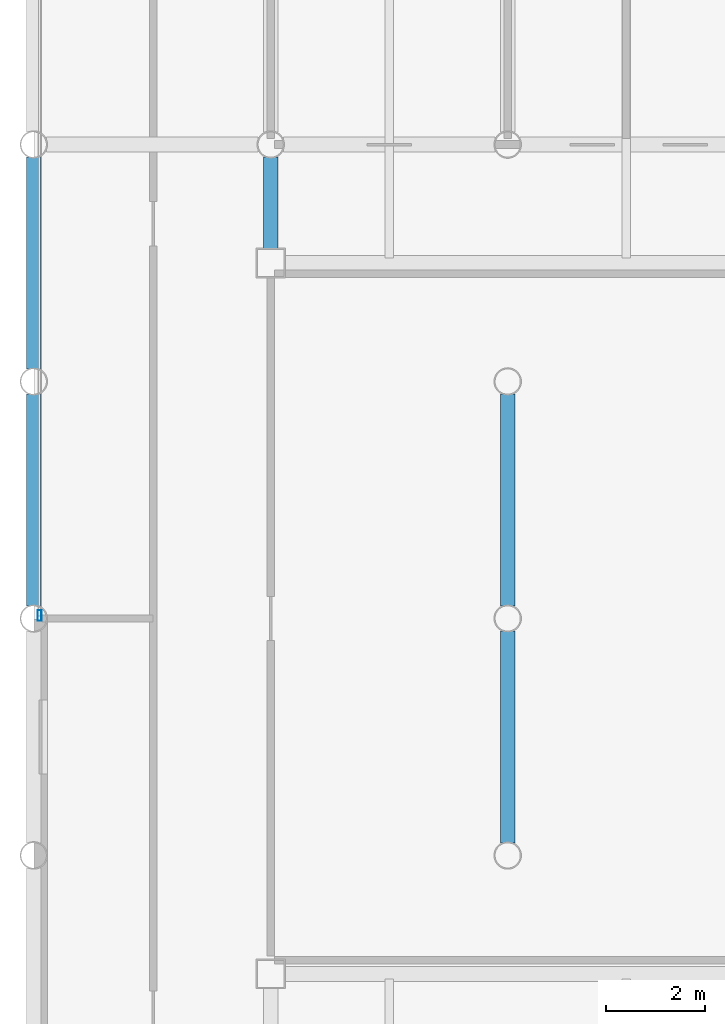
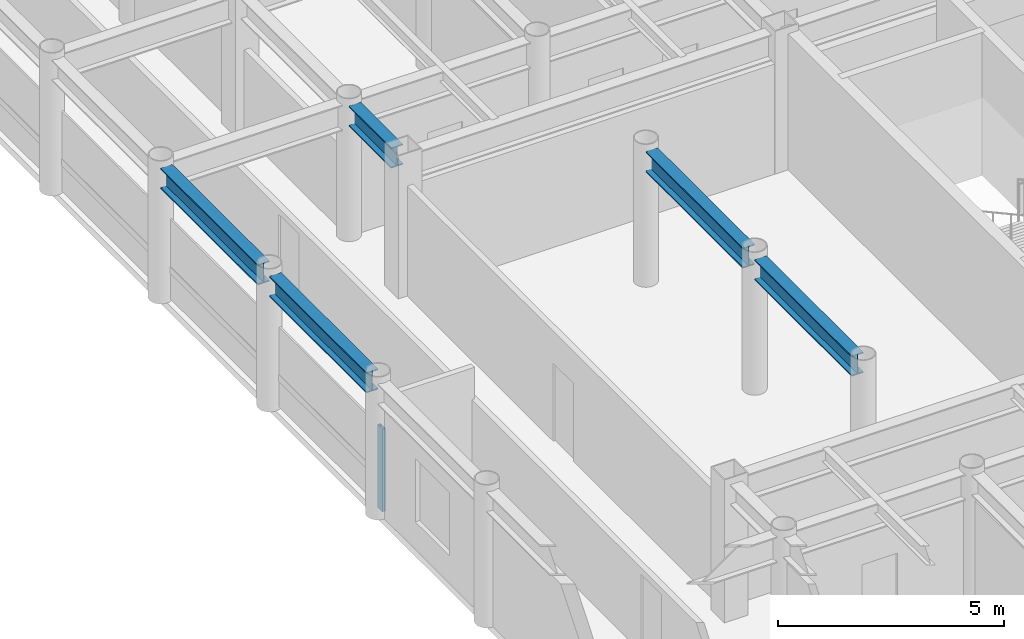
# One storey, part 6 of 22: 5 beams, 1 member, 1 element without a shape of its own.
"""IFC4 building model written with IfcOpenShell, lengths in metres."""

from ifc_helpers import new_model, si_unit, direction, frame, origin, origin_2d, place, context, subcontext, project, spatial, hollow_rectangle, i_section, extrude, material, layer, layer_set, material_profile, profile_set, type_object, element, aggregate, save


model = new_model("IFC4")

# Units and contexts
model_context = context("Model", 3, precision=1e-05, world=origin(), true_north=direction((0.0, 1.0)))
body_context = subcontext(model_context, "Body", "Model", "MODEL_VIEW")
ifc_project = project(units=[si_unit("LENGTHUNIT", "METRE"), si_unit("AREAUNIT", "SQUARE_METRE"), si_unit("VOLUMEUNIT", "CUBIC_METRE"), si_unit("PLANEANGLEUNIT", "RADIAN"), si_unit("MASSUNIT", "GRAM", prefix="KILO")], contexts=[model_context])

# Site, building, storey
site_placement = place(None, origin())
site = spatial("IfcSite", under=ifc_project, at=site_placement, CompositionType="ELEMENT")
building_placement = place(site_placement, origin())
building = spatial("IfcBuilding", under=site, at=building_placement, Name="Kallvorn Hotel Tower", CompositionType="ELEMENT")
storey_placement = place(building_placement, frame((0.0, 0.0, 230.0)))
storey = spatial("IfcBuildingStorey", under=building, at=storey_placement, Name="L57", CompositionType="ELEMENT", Elevation=230.0)

# Beams
ifc_material_1 = material(Name="Structural steel S355JR", Category="steel")
ifc_material_profile_1 = material_profile(ifc_material_1, i_section(OverallWidth=0.300048828125, OverallDepth=0.550048828125, WebThickness=0.014892578125, FlangeThickness=0.029052734375, at=origin_2d()), Name="HE 550 B")
ifc_profile_set_1 = profile_set([ifc_material_profile_1], Name="Structural steel S355JR")
beam_type = type_object("IfcBeamType", Name="BM_HE550B", PredefinedType="SPANDREL", material=ifc_profile_set_1)
for number, where, z_axis, x_axis, name in (
    (1, (-28.800048828125, 0.25439453125, 3.39501953125), (0.0, 1.0, 0.0), (-1.0, 0.0, 0.0), "L58 Primary Y-Girder 77"),
    (2, (-28.800048828125, 5.054443359375, 3.39501953125), (0.0, 1.0, 0.0), (-1.0, 0.0, 0.0), "L58 Primary Y-Girder 78"),
):
    element("IfcBeam", number, at=place(storey_placement, frame(where, z_axis=z_axis, x_axis=x_axis)), inside=storey, type_object=beam_type, Name=name, PredefinedType="SPANDREL", context=body_context, shape_type="SweptSolid", body=[
        extrude(i_section(OverallWidth=0.300048828125, OverallDepth=0.550048828125, WebThickness=0.014892578125, FlangeThickness=0.029052734375, at=origin_2d()), origin(), (0.0, 0.0, 1.0), 4.291015625),
    ])
beam_placement = place(storey_placement, frame((-24.0, 7.47509765625, 3.39501953125), z_axis=(0.0, 1.0, 0.0), x_axis=(-1.0, 0.0, 0.0)))
element("IfcBeam", 3, at=beam_placement, inside=storey, type_object=beam_type, Name="L58 Primary Y-Girder 84", PredefinedType="SPANDREL", context=body_context, shape_type="SweptSolid", body=[
    extrude(i_section(OverallWidth=0.300048828125, OverallDepth=0.550048828125, WebThickness=0.014892578125, FlangeThickness=0.029052734375, at=origin_2d()), origin(), (0.0, 0.0, 1.0), 1.870361328125),
])
for number, where, z_axis, x_axis, name in (
    (4, (-19.199951171875, -4.54541015625, 3.39501953125), (0.0, 1.0, 0.0), (-1.0, 0.0, 0.0), "L58 Primary Y-Girder 91"),
    (5, (-19.199951171875, 0.25439453125, 3.39501953125), (0.0, 1.0, 0.0), (-1.0, 0.0, 0.0), "L58 Primary Y-Girder 92"),
):
    element("IfcBeam", number, at=place(storey_placement, frame(where, z_axis=z_axis, x_axis=x_axis)), inside=storey, type_object=beam_type, Name=name, PredefinedType="SPANDREL", context=body_context, shape_type="SweptSolid", body=[
        extrude(i_section(OverallWidth=0.300048828125, OverallDepth=0.550048828125, WebThickness=0.014892578125, FlangeThickness=0.029052734375, at=origin_2d()), origin(), (0.0, 0.0, 1.0), 4.291015625),
    ])

# Curtain wall, member
ifc_material_2 = material(Name="Thermally broken black-anodised aluminium AA 6063-T6", Category="aluminium")
ifc_layer = layer(ifc_material_2, 0.22998046875)
ifc_layer_set = layer_set([ifc_layer], Name="CW_SYS_5_HOTEL_HIGH")
curtain_wall_type = type_object("IfcCurtainWallType", Name="CW_SYS_5_HOTEL_HIGH", PredefinedType="USERDEFINED", material=ifc_layer_set)
curtain_wall_placement = place(storey_placement, origin())
curtain_wall = element("IfcCurtainWall", 6, at=curtain_wall_placement, inside=storey, type_object=curtain_wall_type, Name="L57 Dark-Glass Curtain Wall CW-L57-WN", ObjectType="UNITISED CURTAIN WALL", PredefinedType="USERDEFINED")
ifc_material_3 = material(Name="Thermally broken black-anodised aluminium AA 6063-T6", Category="aluminium")
ifc_material_profile_2 = material_profile(ifc_material_3, hollow_rectangle(XDim=0.080078125, YDim=0.219970703125, WallThickness=0.0048828125, at=origin_2d()), Name="MUL 220x80")
ifc_profile_set_2 = profile_set([ifc_material_profile_2], Name="Thermally broken black-anodised aluminium AA 6063-T6")
member_type = type_object("IfcMemberType", Name="CW_MULLION_220x80", PredefinedType="MULLION", material=ifc_profile_set_2)
member_placement = place(storey_placement, frame((-28.679931640625, 0.06005859375, 0.02001953125), z_axis=(0.0, 0.0, 1.0), x_axis=(1.0, 0.0, 0.0)))
member = element("IfcMember", 7, at=member_placement, type_object=member_type, Name="CW-L57-WN Mullion 00", PredefinedType="MULLION", context=body_context, shape_type="SweptSolid", body=[
    extrude(hollow_rectangle(XDim=0.080078125, YDim=0.219970703125, WallThickness=0.0048828125, at=origin_2d()), origin(), (0.0, 0.0, 1.0), 2.22998046875),
])
aggregate(curtain_wall, [member])

save(model, "model.ifc")
